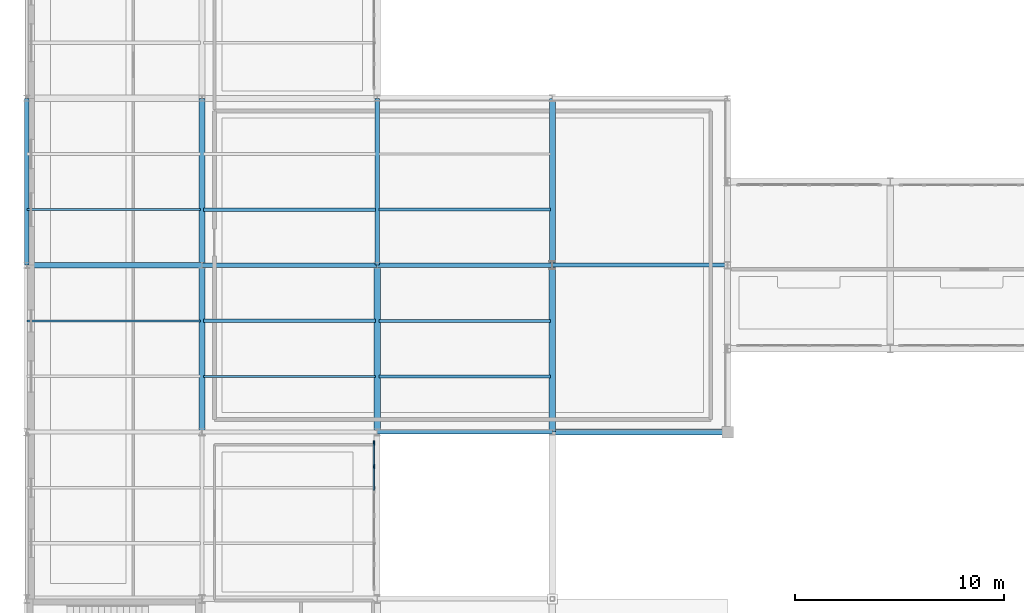
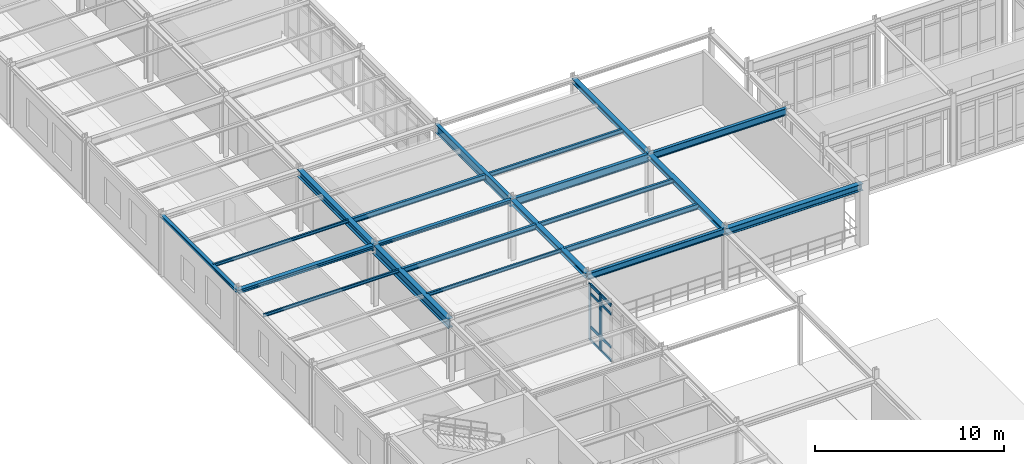
# One storey, part 26 of 90: 21 beams, 10 members, 1 element without a shape of its own.
"""IFC4 building model written with IfcOpenShell, lengths in metres."""

from ifc_helpers import new_model, si_unit, derived_unit, direction, frame, origin, origin_2d, place, context, subcontext, project, spatial, rectangle, i_section, extrude, material, layer, layer_set, material_profile, profile_set, type_object, element, aggregate, save


model = new_model("IFC4")

# Units and contexts
model_context = context("Model", 3, precision=1e-05, world=origin(), true_north=direction((0.0, 1.0)))
body_context = subcontext(model_context, "Body", "Model", "MODEL_VIEW")
ifc_project = project(units=[si_unit("LENGTHUNIT", "METRE"), si_unit("AREAUNIT", "SQUARE_METRE"), si_unit("VOLUMEUNIT", "CUBIC_METRE"), si_unit("PLANEANGLEUNIT", "RADIAN"), si_unit("MASSUNIT", "GRAM", prefix="KILO"), derived_unit("THERMALTRANSMITTANCEUNIT", [(si_unit("POWERUNIT", "WATT"), 1), (si_unit("AREAUNIT", "SQUARE_METRE"), -1), (si_unit("THERMODYNAMICTEMPERATUREUNIT", "KELVIN"), -1)])], contexts=[model_context])

# Site, building, storey
site_placement = place(None, origin())
site = spatial("IfcSite", under=ifc_project, at=site_placement, CompositionType="ELEMENT")
building_placement = place(site_placement, origin())
building = spatial("IfcBuilding", under=site, at=building_placement, Name="Yasenodar Specialist Clinic", CompositionType="ELEMENT")
storey_placement = place(building_placement, frame((0.0, 0.0, 9.0)))
storey = spatial("IfcBuildingStorey", under=building, at=storey_placement, Name="L02", CompositionType="ELEMENT", Elevation=9.0)

# Beams
ifc_material_1 = material(Name="Steel S355", Category="steel")
ifc_material_profile_1 = material_profile(ifc_material_1, i_section(OverallWidth=0.219970703125, OverallDepth=0.2099609375, WebThickness=0.007080078125, FlangeThickness=0.010986328125, FilletRadius=0.01806640625, at=origin_2d()), Name="HEA 220")
ifc_profile_set_1 = profile_set([ifc_material_profile_1], Name="Steel S355")
beam_type_1 = type_object("IfcBeamType", Name="BM-HEA220", PredefinedType="BEAM", material=ifc_profile_set_1)
beam_1_placement = place(storey_placement, frame((8.39990234375, 58.800048828125, 3.844970703125), z_axis=(1.0, 0.0, 0.0), x_axis=(0.0, 1.0, 0.0)))
element("IfcBeam", 1, at=beam_1_placement, inside=storey, type_object=beam_type_1, Name="L02 Primary E-W Girder", PredefinedType="BEAM", context=body_context, shape_type="SweptSolid", body=[
    extrude(i_section(OverallWidth=0.219970703125, OverallDepth=0.2099609375, WebThickness=0.007080078125, FlangeThickness=0.010986328125, FilletRadius=0.01806640625, at=origin_2d()), origin(), (0.0, 0.0, 1.0), 8.400146484375),
])
ifc_material_profile_2 = material_profile(ifc_material_1, i_section(OverallWidth=0.260009765625, OverallDepth=0.25, WebThickness=0.007568359375, FlangeThickness=0.012451171875, FilletRadius=0.02392578125, at=origin_2d()), Name="HEA 260")
ifc_profile_set_2 = profile_set([ifc_material_profile_2], Name="Steel S355")
beam_type_2 = type_object("IfcBeamType", Name="BM-HEA260", PredefinedType="BEAM", material=ifc_profile_set_2)
beam_2_placement = place(storey_placement, frame((0.0, 58.800048828125, 3.824951171875), z_axis=(1.0, 0.0, 0.0), x_axis=(0.0, 1.0, 0.0)))
element("IfcBeam", 2, at=beam_2_placement, inside=storey, type_object=beam_type_2, Name="L02 Primary E-W Girder", PredefinedType="BEAM", context=body_context, shape_type="SweptSolid", body=[
    extrude(i_section(OverallWidth=0.260009765625, OverallDepth=0.25, WebThickness=0.007568359375, FlangeThickness=0.012451171875, FilletRadius=0.02392578125, at=origin_2d()), origin(), (0.0, 0.0, 1.0), 8.39990234375),
])
ifc_material_profile_3 = material_profile(ifc_material_1, i_section(OverallWidth=0.300048828125, OverallDepth=0.2900390625, WebThickness=0.008544921875, FlangeThickness=0.013916015625, FilletRadius=0.027099609375, at=origin_2d()), Name="HEA 300")
ifc_profile_set_3 = profile_set([ifc_material_profile_3], Name="Steel S355")
beam_type_3 = type_object("IfcBeamType", Name="BM-HEA300", PredefinedType="BEAM", material=ifc_profile_set_3)
beam_3_placement = place(storey_placement, frame((16.800048828125, 50.800048828125, 3.804931640625), z_axis=(0.0, 1.0, 0.0), x_axis=(-1.0, 0.0, 0.0)))
element("IfcBeam", 3, at=beam_3_placement, inside=storey, type_object=beam_type_3, Name="L02 Primary N-S Girder", PredefinedType="BEAM", context=body_context, shape_type="SweptSolid", body=[
    extrude(i_section(OverallWidth=0.300048828125, OverallDepth=0.2900390625, WebThickness=0.008544921875, FlangeThickness=0.013916015625, FilletRadius=0.027099609375, at=origin_2d()), origin(), (0.0, 0.0, 1.0), 8.0),
])
ifc_material_profile_4 = material_profile(ifc_material_1, i_section(OverallWidth=0.300048828125, OverallDepth=0.43994140625, WebThickness=0.011474609375, FlangeThickness=0.02099609375, FilletRadius=0.027099609375, at=origin_2d()), Name="HEA 450")
ifc_profile_set_4 = profile_set([ifc_material_profile_4], Name="Steel S355")
beam_type_4 = type_object("IfcBeamType", Name="BM-HEA450", PredefinedType="BEAM", material=ifc_profile_set_4)
beam_4_placement = place(storey_placement, frame((25.199951171875, 50.800048828125, 3.72998046875), z_axis=(1.0, 0.0, 0.0), x_axis=(0.0, 1.0, 0.0)))
element("IfcBeam", 4, at=beam_4_placement, inside=storey, type_object=beam_type_4, Name="L02 Primary E-W Girder", PredefinedType="BEAM", context=body_context, shape_type="SweptSolid", body=[
    extrude(i_section(OverallWidth=0.300048828125, OverallDepth=0.43994140625, WebThickness=0.011474609375, FlangeThickness=0.02099609375, FilletRadius=0.027099609375, at=origin_2d()), origin(), (0.0, 0.0, 1.0), 8.400146484375),
])
ifc_material_profile_5 = material_profile(ifc_material_1, i_section(OverallWidth=0.280029296875, OverallDepth=0.280029296875, WebThickness=0.010498046875, FlangeThickness=0.01806640625, FilletRadius=0.02392578125, at=origin_2d()), Name="HEB 280")
ifc_profile_set_5 = profile_set([ifc_material_profile_5], Name="Steel S355")
beam_type_5 = type_object("IfcBeamType", Name="BM-HEB280", PredefinedType="BEAM", material=ifc_profile_set_5)
beam_5_placement = place(storey_placement, frame((25.199951171875, 58.800048828125, 3.81005859375), z_axis=(0.0, 1.0, 0.0), x_axis=(-1.0, 0.0, 0.0)))
element("IfcBeam", 5, at=beam_5_placement, inside=storey, type_object=beam_type_5, Name="L02 Primary N-S Girder", PredefinedType="BEAM", context=body_context, shape_type="SweptSolid", body=[
    extrude(i_section(OverallWidth=0.280029296875, OverallDepth=0.280029296875, WebThickness=0.010498046875, FlangeThickness=0.01806640625, FilletRadius=0.02392578125, at=origin_2d()), origin(), (0.0, 0.0, 1.0), 8.0),
])
ifc_material_profile_6 = material_profile(ifc_material_1, i_section(OverallWidth=0.300048828125, OverallDepth=0.300048828125, WebThickness=0.010986328125, FlangeThickness=0.01904296875, FilletRadius=0.027099609375, at=origin_2d()), Name="HEB 300")
ifc_profile_set_6 = profile_set([ifc_material_profile_6], Name="Steel S355")
beam_type_6 = type_object("IfcBeamType", Name="BM-HEB300", PredefinedType="BEAM", material=ifc_profile_set_6)
beam_6_placement = place(storey_placement, frame((25.199951171875, 50.800048828125, 3.800048828125), z_axis=(0.0, 1.0, 0.0), x_axis=(-1.0, 0.0, 0.0)))
element("IfcBeam", 6, at=beam_6_placement, inside=storey, type_object=beam_type_6, Name="L02 Primary N-S Girder", PredefinedType="BEAM", context=body_context, shape_type="SweptSolid", body=[
    extrude(i_section(OverallWidth=0.300048828125, OverallDepth=0.300048828125, WebThickness=0.010986328125, FlangeThickness=0.01904296875, FilletRadius=0.027099609375, at=origin_2d()), origin(), (0.0, 0.0, 1.0), 8.0),
])
ifc_material_profile_7 = material_profile(ifc_material_1, i_section(OverallWidth=0.300048828125, OverallDepth=0.449951171875, WebThickness=0.013916015625, FlangeThickness=0.02587890625, FilletRadius=0.027099609375, at=origin_2d()), Name="HEB 450")
ifc_profile_set_7 = profile_set([ifc_material_profile_7], Name="Steel S355")
beam_type_7 = type_object("IfcBeamType", Name="BM-HEB450", PredefinedType="BEAM", material=ifc_profile_set_7)
beam_7_placement = place(storey_placement, frame((8.39990234375, 58.800048828125, 3.72509765625), z_axis=(0.0, 1.0, 0.0), x_axis=(-1.0, 0.0, 0.0)))
element("IfcBeam", 7, at=beam_7_placement, inside=storey, type_object=beam_type_7, Name="L02 Primary N-S Girder", PredefinedType="BEAM", context=body_context, shape_type="SweptSolid", body=[
    extrude(i_section(OverallWidth=0.300048828125, OverallDepth=0.449951171875, WebThickness=0.013916015625, FlangeThickness=0.02587890625, FilletRadius=0.027099609375, at=origin_2d()), origin(), (0.0, 0.0, 1.0), 8.0),
])
ifc_material_profile_8 = material_profile(ifc_material_1, i_section(OverallWidth=0.300048828125, OverallDepth=0.60009765625, WebThickness=0.015380859375, FlangeThickness=0.030029296875, FilletRadius=0.027099609375, at=origin_2d()), Name="HEB 600")
ifc_profile_set_8 = profile_set([ifc_material_profile_8], Name="Steel S355")
beam_type_8 = type_object("IfcBeamType", Name="BM-HEB600", PredefinedType="BEAM", material=ifc_profile_set_8)
beam_8_placement = place(storey_placement, frame((8.39990234375, 50.800048828125, 3.64990234375), z_axis=(0.0, 1.0, 0.0), x_axis=(-1.0, 0.0, 0.0)))
element("IfcBeam", 8, at=beam_8_placement, inside=storey, type_object=beam_type_8, Name="L02 Primary N-S Girder", PredefinedType="BEAM", context=body_context, shape_type="SweptSolid", body=[
    extrude(i_section(OverallWidth=0.300048828125, OverallDepth=0.60009765625, WebThickness=0.015380859375, FlangeThickness=0.030029296875, FilletRadius=0.027099609375, at=origin_2d()), origin(), (0.0, 0.0, 1.0), 8.0),
])
ifc_material_profile_9 = material_profile(ifc_material_1, i_section(OverallWidth=0.179931640625, OverallDepth=0.39990234375, WebThickness=0.008544921875, FlangeThickness=0.013427734375, FilletRadius=0.02099609375, at=origin_2d()), Name="IPE 400")
ifc_profile_set_9 = profile_set([ifc_material_profile_9], Name="Steel S355")
beam_type_9 = type_object("IfcBeamType", Name="BM-IPE400", PredefinedType="BEAM", material=ifc_profile_set_9)
beam_9_placement = place(storey_placement, frame((16.800048828125, 50.800048828125, 3.75), z_axis=(1.0, 0.0, 0.0), x_axis=(0.0, 1.0, 0.0)))
element("IfcBeam", 9, at=beam_9_placement, inside=storey, type_object=beam_type_9, Name="L02 Primary E-W Girder", PredefinedType="BEAM", context=body_context, shape_type="SweptSolid", body=[
    extrude(i_section(OverallWidth=0.179931640625, OverallDepth=0.39990234375, WebThickness=0.008544921875, FlangeThickness=0.013427734375, FilletRadius=0.02099609375, at=origin_2d()), origin(), (0.0, 0.0, 1.0), 8.39990234375),
])
ifc_material_profile_10 = material_profile(ifc_material_1, i_section(OverallWidth=0.18994140625, OverallDepth=0.449951171875, WebThickness=0.009521484375, FlangeThickness=0.0146484375, FilletRadius=0.02099609375, at=origin_2d()), Name="IPE 450")
ifc_profile_set_10 = profile_set([ifc_material_profile_10], Name="Steel S355")
beam_type_10 = type_object("IfcBeamType", Name="BM-IPE450", PredefinedType="BEAM", material=ifc_profile_set_10)
beam_10_placement = place(storey_placement, frame((25.199951171875, 58.800048828125, 3.72509765625), z_axis=(1.0, 0.0, 0.0), x_axis=(0.0, 1.0, 0.0)))
element("IfcBeam", 10, at=beam_10_placement, inside=storey, type_object=beam_type_10, Name="L02 Primary E-W Girder", PredefinedType="BEAM", context=body_context, shape_type="SweptSolid", body=[
    extrude(i_section(OverallWidth=0.18994140625, OverallDepth=0.449951171875, WebThickness=0.009521484375, FlangeThickness=0.0146484375, FilletRadius=0.02099609375, at=origin_2d()), origin(), (0.0, 0.0, 1.0), 8.400146484375),
])
ifc_material_profile_11 = material_profile(ifc_material_1, i_section(OverallWidth=0.199951171875, OverallDepth=0.5, WebThickness=0.01025390625, FlangeThickness=0.01611328125, FilletRadius=0.02099609375, at=origin_2d()), Name="IPE 500")
ifc_profile_set_11 = profile_set([ifc_material_profile_11], Name="Steel S355")
beam_type_11 = type_object("IfcBeamType", Name="BM-IPE500", PredefinedType="BEAM", material=ifc_profile_set_11)
beam_11_placement = place(storey_placement, frame((16.800048828125, 58.800048828125, 3.699951171875), z_axis=(1.0, 0.0, 0.0), x_axis=(0.0, 1.0, 0.0)))
element("IfcBeam", 11, at=beam_11_placement, inside=storey, type_object=beam_type_11, Name="L02 Primary E-W Girder", PredefinedType="BEAM", context=body_context, shape_type="SweptSolid", body=[
    extrude(i_section(OverallWidth=0.199951171875, OverallDepth=0.5, WebThickness=0.01025390625, FlangeThickness=0.01611328125, FilletRadius=0.02099609375, at=origin_2d()), origin(), (0.0, 0.0, 1.0), 8.39990234375),
])
ifc_material_profile_12 = material_profile(ifc_material_1, i_section(OverallWidth=0.2099609375, OverallDepth=0.550048828125, WebThickness=0.010986328125, FlangeThickness=0.01708984375, FilletRadius=0.02392578125, at=origin_2d()), Name="IPE 550")
ifc_profile_set_12 = profile_set([ifc_material_profile_12], Name="Steel S355")
beam_type_12 = type_object("IfcBeamType", Name="BM-IPE550", PredefinedType="BEAM", material=ifc_profile_set_12)
beam_12_placement = place(storey_placement, frame((16.800048828125, 58.800048828125, 3.675048828125), z_axis=(0.0, 1.0, 0.0), x_axis=(-1.0, 0.0, 0.0)))
element("IfcBeam", 12, at=beam_12_placement, inside=storey, type_object=beam_type_12, Name="L02 Primary N-S Girder", PredefinedType="BEAM", context=body_context, shape_type="SweptSolid", body=[
    extrude(i_section(OverallWidth=0.2099609375, OverallDepth=0.550048828125, WebThickness=0.010986328125, FlangeThickness=0.01708984375, FilletRadius=0.02392578125, at=origin_2d()), origin(), (0.0, 0.0, 1.0), 8.0),
])

# Curtain wall, members
ifc_material_2 = material(Name="Bronze Anodized Aluminium and Triple Low-E Glass", Category="aluminium")
ifc_layer = layer(ifc_material_2, 0.202880859375)
ifc_layer_set = layer_set([ifc_layer], Name="Bronze Anodized Aluminium and Triple Low-E Glass")
curtain_wall_type = type_object("IfcCurtainWallType", Name="CW-SYS-04", PredefinedType="USERDEFINED", material=ifc_layer_set)
curtain_wall_placement = place(storey_placement, origin())
curtain_wall = element("IfcCurtainWall", 13, at=curtain_wall_placement, inside=storey, type_object=curtain_wall_type, Name="L02 Unitised Curtain Wall 130", ObjectType="UNITISED CURTAIN WALL", PredefinedType="USERDEFINED")
ifc_material_3 = material(Name="Bronze Anodized Aluminium", Category="aluminium")
ifc_material_profile_13 = material_profile(ifc_material_3, rectangle(XDim=0.074951171875, YDim=0.22509765625, at=origin_2d()), Name="CW-MULL 75x225")
ifc_profile_set_13 = profile_set([ifc_material_profile_13], Name="Bronze Anodized Aluminium")
member_type_1 = type_object("IfcMemberType", Name="CW-MULL-225", PredefinedType="MULLION", material=ifc_profile_set_13)
member_1_placement = place(storey_placement, frame((16.64990234375, 50.282470703125, 0.0), z_axis=(0.0, 0.0, 1.0), x_axis=(1.0, 0.0, 0.0)))
member_1 = element("IfcMember", 14, at=member_1_placement, type_object=member_type_1, Name="CW-04 mullion 1", PredefinedType="MULLION", context=body_context, shape_type="SweptSolid", body=[
    extrude(rectangle(XDim=0.074951171875, YDim=0.22509765625, at=origin_2d()), origin(), (0.0, 0.0, 1.0), 3.64794921875),
])
member_2_placement = place(storey_placement, frame((16.64990234375, 49.146728515625, 0.0), z_axis=(0.0, 0.0, 1.0), x_axis=(1.0, 0.0, 0.0)))
member_2 = element("IfcMember", 15, at=member_2_placement, type_object=member_type_1, Name="CW-04 mullion 2", PredefinedType="MULLION", context=body_context, shape_type="SweptSolid", body=[
    extrude(rectangle(XDim=0.074951171875, YDim=0.22509765625, at=origin_2d()), origin(), (0.0, 0.0, 1.0), 3.64794921875),
])
ifc_material_profile_14 = material_profile(ifc_material_3, rectangle(XDim=0.074951171875, YDim=0.175048828125, at=origin_2d()), Name="CW-TRAN 75x175")
ifc_profile_set_14 = profile_set([ifc_material_profile_14], Name="Bronze Anodized Aluminium")
member_type_2 = type_object("IfcMemberType", Name="CW-TRAN-175", PredefinedType="USERDEFINED", material=ifc_profile_set_14)
member_3_placement = place(storey_placement, frame((16.64990234375, 50.2451171875, 0.03759765625), z_axis=(0.0, -1.0, 0.0), x_axis=(1.0, 0.0, 0.0)))
member_3 = element("IfcMember", 16, at=member_3_placement, type_object=member_type_2, Name="CW-04 transom 1.1", ObjectType="TRANSOM", PredefinedType="USERDEFINED", context=body_context, shape_type="SweptSolid", body=[
    extrude(rectangle(XDim=0.074951171875, YDim=0.175048828125, at=origin_2d()), origin(), (0.0, 0.0, 1.0), 1.06103515625),
])
member_4_placement = place(storey_placement, frame((16.64990234375, 50.2451171875, 0.89990234375), z_axis=(0.0, -1.0, 0.0), x_axis=(1.0, 0.0, 0.0)))
member_4 = element("IfcMember", 17, at=member_4_placement, type_object=member_type_2, Name="CW-04 transom 1.2", ObjectType="TRANSOM", PredefinedType="USERDEFINED", context=body_context, shape_type="SweptSolid", body=[
    extrude(rectangle(XDim=0.074951171875, YDim=0.175048828125, at=origin_2d()), origin(), (0.0, 0.0, 1.0), 1.06103515625),
])
member_5_placement = place(storey_placement, frame((16.64990234375, 50.2451171875, 3.048095703125), z_axis=(0.0, -1.0, 0.0), x_axis=(1.0, 0.0, 0.0)))
member_5 = element("IfcMember", 18, at=member_5_placement, type_object=member_type_2, Name="CW-04 transom 1.3", ObjectType="TRANSOM", PredefinedType="USERDEFINED", context=body_context, shape_type="SweptSolid", body=[
    extrude(rectangle(XDim=0.074951171875, YDim=0.175048828125, at=origin_2d()), origin(), (0.0, 0.0, 1.0), 1.06103515625),
])
member_6_placement = place(storey_placement, frame((16.64990234375, 50.2451171875, 3.610595703125), z_axis=(0.0, -1.0, 0.0), x_axis=(1.0, 0.0, 0.0)))
member_6 = element("IfcMember", 19, at=member_6_placement, type_object=member_type_2, Name="CW-04 transom 1.4", ObjectType="TRANSOM", PredefinedType="USERDEFINED", context=body_context, shape_type="SweptSolid", body=[
    extrude(rectangle(XDim=0.074951171875, YDim=0.175048828125, at=origin_2d()), origin(), (0.0, 0.0, 1.0), 1.06103515625),
])
member_7_placement = place(storey_placement, frame((16.64990234375, 49.109130859375, 0.03759765625), z_axis=(0.0, -1.0, 0.0), x_axis=(1.0, 0.0, 0.0)))
member_7 = element("IfcMember", 20, at=member_7_placement, type_object=member_type_2, Name="CW-04 transom 2.1", ObjectType="TRANSOM", PredefinedType="USERDEFINED", context=body_context, shape_type="SweptSolid", body=[
    extrude(rectangle(XDim=0.074951171875, YDim=0.175048828125, at=origin_2d()), origin(), (0.0, 0.0, 1.0), 1.098388671875),
])
member_8_placement = place(storey_placement, frame((16.64990234375, 49.109130859375, 0.89990234375), z_axis=(0.0, -1.0, 0.0), x_axis=(1.0, 0.0, 0.0)))
member_8 = element("IfcMember", 21, at=member_8_placement, type_object=member_type_2, Name="CW-04 transom 2.2", ObjectType="TRANSOM", PredefinedType="USERDEFINED", context=body_context, shape_type="SweptSolid", body=[
    extrude(rectangle(XDim=0.074951171875, YDim=0.175048828125, at=origin_2d()), origin(), (0.0, 0.0, 1.0), 1.098388671875),
])
member_9_placement = place(storey_placement, frame((16.64990234375, 49.109130859375, 3.048095703125), z_axis=(0.0, -1.0, 0.0), x_axis=(1.0, 0.0, 0.0)))
member_9 = element("IfcMember", 22, at=member_9_placement, type_object=member_type_2, Name="CW-04 transom 2.3", ObjectType="TRANSOM", PredefinedType="USERDEFINED", context=body_context, shape_type="SweptSolid", body=[
    extrude(rectangle(XDim=0.074951171875, YDim=0.175048828125, at=origin_2d()), origin(), (0.0, 0.0, 1.0), 1.098388671875),
])
member_10_placement = place(storey_placement, frame((16.64990234375, 49.109130859375, 3.610595703125), z_axis=(0.0, -1.0, 0.0), x_axis=(1.0, 0.0, 0.0)))
member_10 = element("IfcMember", 23, at=member_10_placement, type_object=member_type_2, Name="CW-04 transom 2.4", ObjectType="TRANSOM", PredefinedType="USERDEFINED", context=body_context, shape_type="SweptSolid", body=[
    extrude(rectangle(XDim=0.074951171875, YDim=0.175048828125, at=origin_2d()), origin(), (0.0, 0.0, 1.0), 1.098388671875),
])
aggregate(curtain_wall, [member_1, member_2, member_3, member_4, member_5, member_6, member_7, member_8, member_9, member_10])

# Beams
ifc_material_profile_15 = material_profile(ifc_material_1, i_section(OverallWidth=0.10009765625, OverallDepth=0.199951171875, WebThickness=0.005615234375, FlangeThickness=0.008544921875, FilletRadius=0.011962890625, at=origin_2d()), Name="IPE 200")
ifc_profile_set_15 = profile_set([ifc_material_profile_15], Name="Steel S355")
beam_type_13 = type_object("IfcBeamType", Name="JS-IPE200", PredefinedType="JOIST", material=ifc_profile_set_15)
for number, where, z_axis, x_axis, name in (
    (24, (0.014892578125, 56.13330078125, 3.85009765625), (1.0, 0.0, 0.0), (0.0, 1.0, 0.0), "L02 Composite Floor Joist"),
    (25, (0.014892578125, 61.466796875, 3.85009765625), (1.0, 0.0, 0.0), (0.0, 1.0, 0.0), "L02 Composite Floor Joist"),
):
    element("IfcBeam", number, at=place(storey_placement, frame(where, z_axis=z_axis, x_axis=x_axis)), inside=storey, type_object=beam_type_13, Name=name, PredefinedType="JOIST", context=body_context, shape_type="SweptSolid", body=[
        extrude(i_section(OverallWidth=0.10009765625, OverallDepth=0.199951171875, WebThickness=0.005615234375, FlangeThickness=0.008544921875, FilletRadius=0.011962890625, at=origin_2d()), origin(), (0.0, 0.0, 1.0), 8.30517578125),
    ])
ifc_material_profile_16 = material_profile(ifc_material_1, i_section(OverallWidth=0.110107421875, OverallDepth=0.219970703125, WebThickness=0.005859375, FlangeThickness=0.00927734375, FilletRadius=0.011962890625, at=origin_2d()), Name="IPE 220")
ifc_profile_set_16 = profile_set([ifc_material_profile_16], Name="Steel S355")
beam_type_14 = type_object("IfcBeamType", Name="JS-IPE220", PredefinedType="JOIST", material=ifc_profile_set_16)
beam_13_placement = place(storey_placement, frame((8.47998046875, 53.466796875, 3.840087890625), z_axis=(1.0, 0.0, 0.0), x_axis=(0.0, 1.0, 0.0)))
element("IfcBeam", 26, at=beam_13_placement, inside=storey, type_object=beam_type_14, Name="L02 Composite Floor Joist", PredefinedType="JOIST", context=body_context, shape_type="SweptSolid", body=[
    extrude(i_section(OverallWidth=0.110107421875, OverallDepth=0.219970703125, WebThickness=0.005859375, FlangeThickness=0.00927734375, FilletRadius=0.011962890625, at=origin_2d()), origin(), (0.0, 0.0, 1.0), 8.239990234375),
])
ifc_material_profile_17 = material_profile(ifc_material_1, i_section(OverallWidth=0.135009765625, OverallDepth=0.27001953125, WebThickness=0.006591796875, FlangeThickness=0.01025390625, FilletRadius=0.014892578125, at=origin_2d()), Name="IPE 270")
ifc_profile_set_17 = profile_set([ifc_material_profile_17], Name="Steel S355")
beam_type_15 = type_object("IfcBeamType", Name="JS-IPE270", PredefinedType="JOIST", material=ifc_profile_set_17)
for number, where, z_axis, x_axis, name in (
    (27, (16.8798828125, 56.13330078125, 3.81494140625), (1.0, 0.0, 0.0), (0.0, 1.0, 0.0), "L02 Composite Floor Joist"),
    (28, (16.8798828125, 61.466796875, 3.81494140625), (1.0, 0.0, 0.0), (0.0, 1.0, 0.0), "L02 Composite Floor Joist"),
):
    element("IfcBeam", number, at=place(storey_placement, frame(where, z_axis=z_axis, x_axis=x_axis)), inside=storey, type_object=beam_type_15, Name=name, PredefinedType="JOIST", context=body_context, shape_type="SweptSolid", body=[
        extrude(i_section(OverallWidth=0.135009765625, OverallDepth=0.27001953125, WebThickness=0.006591796875, FlangeThickness=0.01025390625, FilletRadius=0.014892578125, at=origin_2d()), origin(), (0.0, 0.0, 1.0), 8.240234375),
    ])
ifc_material_profile_18 = material_profile(ifc_material_1, i_section(OverallWidth=0.159912109375, OverallDepth=0.330078125, WebThickness=0.007568359375, FlangeThickness=0.011474609375, FilletRadius=0.01806640625, at=origin_2d()), Name="IPE 330")
ifc_profile_set_18 = profile_set([ifc_material_profile_18], Name="Steel S355")
beam_type_16 = type_object("IfcBeamType", Name="JS-IPE330", PredefinedType="JOIST", material=ifc_profile_set_18)
for number, where, z_axis, x_axis, name in (
    (29, (8.47998046875, 56.13330078125, 3.784912109375), (1.0, 0.0, 0.0), (0.0, 1.0, 0.0), "L02 Composite Floor Joist"),
    (30, (8.47998046875, 61.466796875, 3.784912109375), (1.0, 0.0, 0.0), (0.0, 1.0, 0.0), "L02 Composite Floor Joist"),
):
    element("IfcBeam", number, at=place(storey_placement, frame(where, z_axis=z_axis, x_axis=x_axis)), inside=storey, type_object=beam_type_16, Name=name, PredefinedType="JOIST", context=body_context, shape_type="SweptSolid", body=[
        extrude(i_section(OverallWidth=0.159912109375, OverallDepth=0.330078125, WebThickness=0.007568359375, FlangeThickness=0.011474609375, FilletRadius=0.01806640625, at=origin_2d()), origin(), (0.0, 0.0, 1.0), 8.239990234375),
    ])
beam_14_placement = place(storey_placement, frame((16.8798828125, 53.466796875, 3.784912109375), z_axis=(1.0, 0.0, 0.0), x_axis=(0.0, 1.0, 0.0)))
element("IfcBeam", 31, at=beam_14_placement, inside=storey, type_object=beam_type_16, Name="L02 Composite Floor Joist", PredefinedType="JOIST", context=body_context, shape_type="SweptSolid", body=[
    extrude(i_section(OverallWidth=0.159912109375, OverallDepth=0.330078125, WebThickness=0.007568359375, FlangeThickness=0.011474609375, FilletRadius=0.01806640625, at=origin_2d()), origin(), (0.0, 0.0, 1.0), 8.240234375),
])
ifc_material_profile_19 = material_profile(ifc_material_1, i_section(OverallWidth=0.199951171875, OverallDepth=0.18994140625, WebThickness=0.006591796875, FlangeThickness=0.010009765625, FilletRadius=0.01806640625, at=origin_2d()), Name="HEA 200")
ifc_profile_set_19 = profile_set([ifc_material_profile_19], Name="Steel S355")
beam_type_17 = type_object("IfcBeamType", Name="SP-HEA200", PredefinedType="SPANDREL", material=ifc_profile_set_19)
beam_15_placement = place(storey_placement, frame((0.0, 58.800048828125, 3.85498046875), z_axis=(0.0, 1.0, 0.0), x_axis=(-1.0, 0.0, 0.0)))
element("IfcBeam", 32, at=beam_15_placement, inside=storey, type_object=beam_type_17, Name="L02 Perimeter Spandrel Beam", PredefinedType="SPANDREL", context=body_context, shape_type="SweptSolid", body=[
    extrude(i_section(OverallWidth=0.199951171875, OverallDepth=0.18994140625, WebThickness=0.006591796875, FlangeThickness=0.010009765625, FilletRadius=0.01806640625, at=origin_2d()), origin(), (0.0, 0.0, 1.0), 8.0),
])

save(model, "model.ifc")
